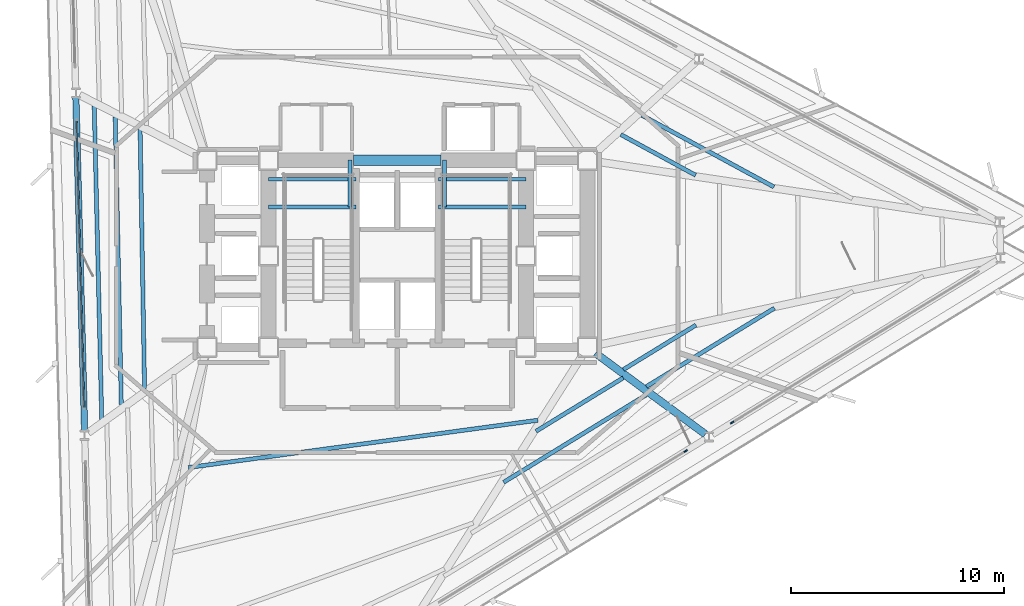
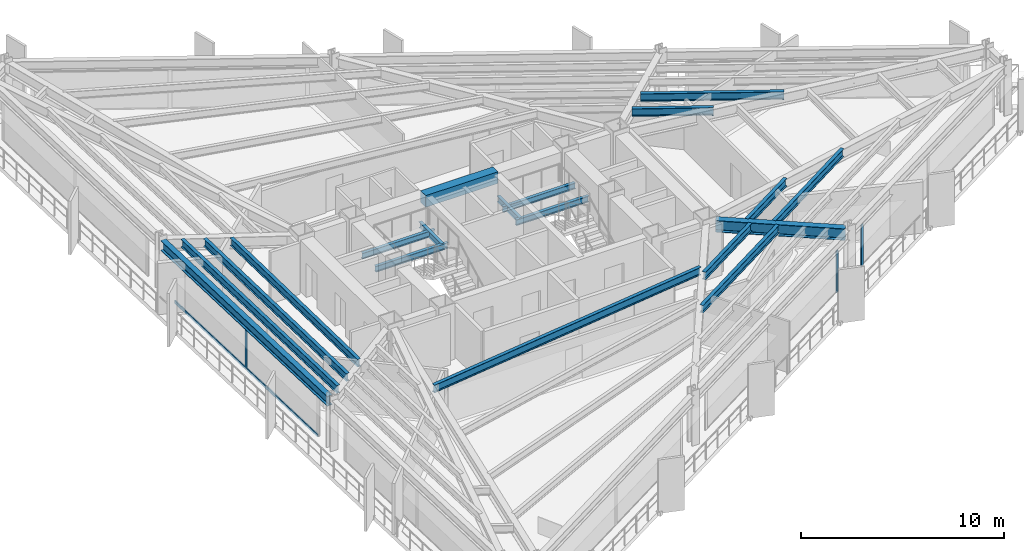
# One storey, part 3 of 14: 19 beams, 7 members, 3 elements without a shape of their own.
"""IFC4 building model written with IfcOpenShell, lengths in metres."""

import ifcopenshell
import ifcopenshell.guid

model = None  # the IFC model being written
_history = None  # IfcOwnerHistory: only IFC2X3 demands one
_inside = {}  # id of a spatial element -> (the spatial element, [elements in it])
_under = {}  # id of a project, library or spatial element -> (it, [spatial elements below it])
_declared = {}  # id of a project -> (the project, [libraries it declares])
_typed = {}  # id of a type object -> (the type object, [elements of that type])
_made_of = {}  # id of a material, layer set ... -> (it, [elements and type objects made of it])


def new_model(schema):
    """Start an empty IFC model of exactly this schema.

    Asked for "IFC4X3", IfcOpenShell would pick the latest addendum, in which some entities
    have other attributes; the version numbers below select the first issue.
    IFC2X3 requires an IfcOwnerHistory on every rooted entity: one is made here for all.
    """
    global model, _history
    if schema == "IFC4X3":
        model = ifcopenshell.file(schema_version=(4, 3, 0, 0))
    else:
        model = ifcopenshell.file(schema=schema)
    _inside.clear()
    _under.clear()
    _declared.clear()
    _typed.clear()
    _made_of.clear()
    _history = None
    if model.schema == "IFC2X3":
        org = make("IfcOrganization", Name="unknown")
        user = make(
            "IfcPersonAndOrganization",
            ThePerson=make("IfcPerson", FamilyName="unknown"),
            TheOrganization=org,
        )
        app = make(
            "IfcApplication",
            ApplicationDeveloper=org,
            Version="unknown",
            ApplicationFullName="unknown",
            ApplicationIdentifier="unknown",
        )
        _history = make(
            "IfcOwnerHistory",
            OwningUser=user,
            OwningApplication=app,
            ChangeAction="ADDED",
            CreationDate=0,
        )
    return model


def make(cls, **values):
    """One entity of the class cls with the attributes given. An attribute that is None is left unset."""
    return model.create_entity(
        cls, **{name: value for name, value in values.items() if value is not None}
    )


def rooted(cls, **values):
    """An entity with a GlobalId (a new one), such as an element, a storey or a relation."""
    return make(cls, GlobalId=ifcopenshell.guid.new(), OwnerHistory=_history, **values)


def si_unit(unit_type, name, prefix=None):
    """IfcSIUnit, for example si_unit("LENGTHUNIT", "METRE", prefix="MILLI")."""
    return make("IfcSIUnit", UnitType=unit_type, Prefix=prefix, Name=name)


def assignment(units):
    """IfcUnitAssignment: the units of a project."""
    return None if units is None else make("IfcUnitAssignment", Units=units)


def point(xyz):
    """IfcCartesianPoint."""
    return None if xyz is None else make("IfcCartesianPoint", Coordinates=xyz)


def direction(xyz):
    """IfcDirection."""
    return None if xyz is None else make("IfcDirection", DirectionRatios=xyz)


def frame(location, z_axis=None, x_axis=None):
    """IfcAxis2Placement3D, a coordinate frame: its origin and axes. An axis left out is left unset."""
    return make(
        "IfcAxis2Placement3D",
        Location=point(location),
        Axis=direction(z_axis),
        RefDirection=direction(x_axis),
    )


def frame_2d(location, x_axis=None):
    """IfcAxis2Placement2D, a coordinate frame in the plane: its origin and x axis."""
    return make(
        "IfcAxis2Placement2D", Location=point(location), RefDirection=direction(x_axis)
    )


def origin():
    """The frame at (0, 0, 0) with its axes left unset."""
    return frame((0.0, 0.0, 0.0))


def origin_2d():
    """The frame at (0, 0) in the plane with its x axis left unset."""
    return frame_2d((0.0, 0.0))


def place(relative_to, where):
    """IfcLocalPlacement: puts the frame where relative to a parent placement (None: the world)."""
    return make(
        "IfcLocalPlacement", PlacementRelTo=relative_to, RelativePlacement=where
    )


def context(
    kind, dimensions, precision=None, world=None, true_north=None, identifier=None
):
    """IfcGeometricRepresentationContext, for example the 3D "Model" context."""
    return make(
        "IfcGeometricRepresentationContext",
        ContextIdentifier=identifier,
        ContextType=kind,
        CoordinateSpaceDimension=dimensions,
        Precision=precision,
        WorldCoordinateSystem=world,
        TrueNorth=true_north,
    )


def subcontext(parent, identifier, kind, view, scale=None):
    """IfcGeometricRepresentationSubContext, for example "Body" below "Model"."""
    return make(
        "IfcGeometricRepresentationSubContext",
        ContextIdentifier=identifier,
        ContextType=kind,
        ParentContext=parent,
        TargetScale=scale,
        TargetView=view,
    )


def project(units=None, contexts=None):
    """IfcProject with its units and contexts."""
    return rooted(
        "IfcProject",
        Name="project",
        RepresentationContexts=contexts,
        UnitsInContext=assignment(units),
    )


def spatial(cls, under=None, at=None, **own):
    """A site, building, storey or space (cls), placed at a placement, below another one or the project."""
    s = rooted(cls, ObjectPlacement=at, **own)
    if under is not None:
        _under.setdefault(under.id(), (under, []))[1].append(s)
    return s


def profile(cls, at=None, kind="AREA", **sizes):
    """A parametric profile (cls). Its sizes go by their IFC names, for example OverallWidth=200.0."""
    return make(cls, ProfileType=kind, Position=at, **sizes)


def rectangle(**sizes):
    """IfcRectangleProfileDef."""
    return profile("IfcRectangleProfileDef", **sizes)


def i_section(**sizes):
    """IfcIShapeProfileDef."""
    return profile("IfcIShapeProfileDef", **sizes)


def extrude(swept, where, along, depth):
    """IfcExtrudedAreaSolid: the profile swept, set in the frame where, extruded along a direction by depth."""
    return make(
        "IfcExtrudedAreaSolid",
        SweptArea=swept,
        Position=where,
        ExtrudedDirection=direction(along),
        Depth=depth,
    )


def shape(context_of_items, identifier, shape_type, items):
    """IfcShapeRepresentation: the items that make up one representation, for example the "Body"."""
    return make(
        "IfcShapeRepresentation",
        ContextOfItems=context_of_items,
        RepresentationIdentifier=identifier,
        RepresentationType=shape_type,
        Items=items,
    )


def material(Name=None, Category=None):
    """IfcMaterial."""
    return make("IfcMaterial", Name=Name, Category=Category)


def layer(
    of_material, thickness, ventilated=None, Name=None, Category=None, Priority=None
):
    """IfcMaterialLayer: one layer of a wall or slab, of a material (None: an air gap)."""
    return make(
        "IfcMaterialLayer",
        Material=of_material,
        LayerThickness=thickness,
        IsVentilated=ventilated,
        Name=Name,
        Category=Category,
        Priority=Priority,
    )


def layer_set(layers, Name=None):
    """IfcMaterialLayerSet."""
    return make("IfcMaterialLayerSet", MaterialLayers=layers, LayerSetName=Name)


def material_profile(
    of_material, cross_section, Name=None, Category=None, Priority=None
):
    """IfcMaterialProfile: a cross section and its material."""
    return make(
        "IfcMaterialProfile",
        Name=Name,
        Material=of_material,
        Profile=cross_section,
        Priority=Priority,
        Category=Category,
    )


def profile_set(profiles, Name=None, composite=None):
    """IfcMaterialProfileSet."""
    return make(
        "IfcMaterialProfileSet",
        Name=Name,
        MaterialProfiles=profiles,
        CompositeProfile=composite,
    )


def made_of(thing, what):
    """Note that an element or type object is made of a material, layer set ...; save() writes the relation."""
    if what is not None:
        _made_of.setdefault(what.id(), (what, []))[1].append(thing)
    return thing


def type_object(cls, material=None, **own):
    """A type object (cls), such as IfcWallType, which elements share."""
    return made_of(rooted(cls, **own), material)


def element(
    cls,
    number,
    at=None,
    inside=None,
    cuts=None,
    type_object=None,
    material=None,
    context=None,
    identifier="Body",
    shape_type=None,
    held_by="IfcProductDefinitionShape",
    body=None,
    shapes=None,
    **own,
):
    """One element of the class cls, such as IfcWall. Its Tag is "e" and its number.

    at: its placement. inside: the storey or other place that contains it. cuts: it is an
    opening in that element (IfcRelVoidsElement). A single representation is given by context,
    identifier, shape_type and body (its items); several are given by shapes. held_by: the class
    of the entity that holds the representations. save() writes the other relations.
    """
    e = rooted(cls, Tag="e%d" % number, ObjectPlacement=at, **own)
    if body is not None:
        shapes = [shape(context, identifier, shape_type, body)]
    if shapes is not None:
        e.Representation = make(held_by, Representations=shapes)
    if inside is not None:
        _inside.setdefault(inside.id(), (inside, []))[1].append(e)
    if cuts is not None:
        rooted(
            "IfcRelVoidsElement", RelatingBuildingElement=cuts, RelatedOpeningElement=e
        )
    if type_object is not None:
        _typed.setdefault(type_object.id(), (type_object, []))[1].append(e)
    return made_of(e, material)


def aggregate(whole, parts):
    """IfcRelAggregates: a whole, such as a stair, and the parts it consists of."""
    return rooted("IfcRelAggregates", RelatingObject=whole, RelatedObjects=parts)


def save(model, path):
    """Write the relations noted so far, then the file.

    IfcRelAggregates (storeys below a building ...), IfcRelContainedInSpatialStructure (elements
    in a storey), IfcRelDefinesByType, IfcRelAssociatesMaterial and IfcRelDeclares: one each for
    every whole, place, type object, material and project.
    """
    for whole, parts in _under.values():
        aggregate(whole, parts)
    for where, things in _inside.values():
        rooted(
            "IfcRelContainedInSpatialStructure",
            RelatedElements=things,
            RelatingStructure=where,
        )
    for kind, things in _typed.values():
        rooted("IfcRelDefinesByType", RelatedObjects=things, RelatingType=kind)
    for what, things in _made_of.values():
        rooted("IfcRelAssociatesMaterial", RelatedObjects=things, RelatingMaterial=what)
    for by, libraries in _declared.values():
        rooted("IfcRelDeclares", RelatingContext=by, RelatedDefinitions=libraries)
    model.write(path)


model = new_model("IFC4")

# Units and contexts
model_context = context("Model", 3, precision=1e-05, world=origin(), true_north=direction((0.0, 1.0)))
body_context = subcontext(model_context, "Body", "Model", "MODEL_VIEW")
ifc_project = project(units=[si_unit("LENGTHUNIT", "METRE"), si_unit("AREAUNIT", "SQUARE_METRE"), si_unit("VOLUMEUNIT", "CUBIC_METRE"), si_unit("PLANEANGLEUNIT", "RADIAN"), si_unit("MASSUNIT", "GRAM", prefix="KILO")], contexts=[model_context])

# Site, building, storey
site_placement = place(None, origin())
site = spatial("IfcSite", under=ifc_project, at=site_placement, CompositionType="ELEMENT")
building_placement = place(site_placement, origin())
building = spatial("IfcBuilding", under=site, at=building_placement, Name="Rocaltana Carrier Exchange", CompositionType="ELEMENT")
storey_placement = place(building_placement, frame((0.0, 0.0, 39.0400390625)))
storey = spatial("IfcBuildingStorey", under=building, at=storey_placement, Name="L12", CompositionType="ELEMENT", Elevation=39.0400390625)

# Curtain wall, member
ifc_material_1 = material(Name="Aluminium 6063-T6", Category="aluminium")
ifc_layer = layer(ifc_material_1, 0.179931640625)
ifc_layer_set = layer_set([ifc_layer], Name="Aluminium 6063-T6")
curtain_wall_type = type_object("IfcCurtainWallType", Name="Sandstone Spandrel Unitised Curtain Wall CW-01", PredefinedType="NOTDEFINED", material=ifc_layer_set)
curtain_wall_1_placement = place(storey_placement, origin())
curtain_wall_1 = element("IfcCurtainWall", 1, at=curtain_wall_1_placement, inside=storey, type_object=curtain_wall_type, Name="L12 CW-01 Run CW-L12-F2S2", PredefinedType="NOTDEFINED")
ifc_material_2 = material(Name="Aluminium 6063-T6", Category="aluminium")
ifc_material_profile_1 = material_profile(ifc_material_2, rectangle(XDim=0.06494140625, YDim=0.179931640625, at=origin_2d()), Name="AL-65X180")
ifc_profile_set_1 = profile_set([ifc_material_profile_1], Name="Aluminium 6063-T6")
member_type_1 = type_object("IfcMemberType", Name="CW-01 Mullion AL-65X180", PredefinedType="MULLION", material=ifc_profile_set_1)
member_1_placement = place(storey_placement, frame((-14.91064453125, -0.390380859375, 0.0), z_axis=(0.0, 0.0, 1.0), x_axis=(0.99965733548, 0.026176547142, 0.0)))
member_1 = element("IfcMember", 2, at=member_1_placement, type_object=member_type_1, Name="CW-01 mullion 2", PredefinedType="MULLION", context=body_context, shape_type="SweptSolid", body=[
    extrude(rectangle(XDim=0.06494140625, YDim=0.179931640625, at=origin_2d()), origin(), (0.0, 0.0, 1.0), 2.47802734375),
])

curtain_wall_2_placement = place(storey_placement, origin())
curtain_wall_2 = element("IfcCurtainWall", 3, at=curtain_wall_2_placement, inside=storey, type_object=curtain_wall_type, Name="L12 CW-01 Run CW-L12-F3S2", PredefinedType="NOTDEFINED")
member_2_placement = place(storey_placement, frame((13.563720703125, -9.181884765625, 0.0), z_axis=(0.0, 0.0, 1.0), x_axis=(-0.522499812415, 0.852639399762, 0.0)))
member_2 = element("IfcMember", 4, at=member_2_placement, type_object=member_type_1, Name="CW-01 mullion 3", PredefinedType="MULLION", context=body_context, shape_type="SweptSolid", body=[
    extrude(rectangle(XDim=0.06494140625, YDim=0.179931640625, at=origin_2d()), origin(), (0.0, 0.0, 1.0), 2.47802734375),
])
aggregate(curtain_wall_2, [member_2])

curtain_wall_3_placement = place(storey_placement, origin())
curtain_wall_3 = element("IfcCurtainWall", 5, at=curtain_wall_3_placement, inside=storey, type_object=curtain_wall_type, Name="L12 CW-01 Run CW-L12-F3S3", PredefinedType="NOTDEFINED")
member_3_placement = place(storey_placement, frame((15.750732421875, -7.841552734375, 0.0), z_axis=(0.0, 0.0, 1.0), x_axis=(-0.522499812415, 0.852639399762, 0.0)))
member_3 = element("IfcMember", 6, at=member_3_placement, type_object=member_type_1, Name="CW-01 mullion 1", PredefinedType="MULLION", context=body_context, shape_type="SweptSolid", body=[
    extrude(rectangle(XDim=0.06494140625, YDim=0.179931640625, at=origin_2d()), origin(), (0.0, 0.0, 1.0), 2.47802734375),
])
aggregate(curtain_wall_3, [member_3])

# Member
ifc_material_3 = material(Name="Aluminium 6063-T6", Category="aluminium")
ifc_material_profile_2 = material_profile(ifc_material_3, rectangle(XDim=0.06494140625, YDim=0.179931640625, at=origin_2d()), Name="AL-65X180")
ifc_profile_set_2 = profile_set([ifc_material_profile_2], Name="Aluminium 6063-T6")
member_type_2 = type_object("IfcMemberType", Name="CW-01 Transom AL-65X180", PredefinedType="USERDEFINED", material=ifc_profile_set_2)
member_4_placement = place(storey_placement, frame((-15.0869140625, 6.34228515625, 0.032470703125), z_axis=(0.026153417925, -0.999657940863, 0.0), x_axis=(0.999657940863, 0.026153417925, 0.0)))
member_4 = element("IfcMember", 7, at=member_4_placement, type_object=member_type_2, Name="CW-01 transom 1.1", ObjectType="TRANSOM", PredefinedType="USERDEFINED", context=body_context, shape_type="SweptSolid", body=[
    extrude(rectangle(XDim=0.06494140625, YDim=0.179931640625, at=origin_2d()), origin(), (0.0, 0.0, 1.0), 6.702392578125),
])

member_5_placement = place(storey_placement, frame((-15.0869140625, 6.34228515625, 2.445556640625), z_axis=(0.026153417925, -0.999657940863, 0.0), x_axis=(0.999657940863, 0.026153417925, 0.0)))
member_5 = element("IfcMember", 8, at=member_5_placement, type_object=member_type_2, Name="CW-01 transom 1.2", ObjectType="TRANSOM", PredefinedType="USERDEFINED", context=body_context, shape_type="SweptSolid", body=[
    extrude(rectangle(XDim=0.06494140625, YDim=0.179931640625, at=origin_2d()), origin(), (0.0, 0.0, 1.0), 6.702392578125),
])

member_6_placement = place(storey_placement, frame((-14.909912109375, -0.4228515625, 0.032470703125), z_axis=(0.026189818331, -0.999656987879, 0.0), x_axis=(0.999656987879, 0.026189818331, 0.0)))
member_6 = element("IfcMember", 9, at=member_6_placement, type_object=member_type_2, Name="CW-01 transom 2.1", ObjectType="TRANSOM", PredefinedType="USERDEFINED", context=body_context, shape_type="SweptSolid", body=[
    extrude(rectangle(XDim=0.06494140625, YDim=0.179931640625, at=origin_2d()), origin(), (0.0, 0.0, 1.0), 6.702392578125),
])

member_7_placement = place(storey_placement, frame((-14.909912109375, -0.4228515625, 2.445556640625), z_axis=(0.026189818331, -0.999656987879, 0.0), x_axis=(0.999656987879, 0.026189818331, 0.0)))
member_7 = element("IfcMember", 10, at=member_7_placement, type_object=member_type_2, Name="CW-01 transom 2.2", ObjectType="TRANSOM", PredefinedType="USERDEFINED", context=body_context, shape_type="SweptSolid", body=[
    extrude(rectangle(XDim=0.06494140625, YDim=0.179931640625, at=origin_2d()), origin(), (0.0, 0.0, 1.0), 6.702392578125),
])

aggregate(curtain_wall_1, [member_1, member_4, member_5, member_6, member_7])

# Beams
ifc_material_4 = material(Name="Concrete C60/75", Category="concrete")
ifc_material_profile_3 = material_profile(ifc_material_4, rectangle(XDim=0.5, YDim=0.699951171875, at=origin_2d()), Name="RC-BM-500X700")
ifc_profile_set_3 = profile_set([ifc_material_profile_3], Name="Concrete C60/75")
beam_type_1 = type_object("IfcBeamType", Name="Core Coupling Lintel 500x700", PredefinedType="LINTEL", material=ifc_profile_set_3)
beam_1_placement = place(storey_placement, frame((-2.050048828125, 4.5, 2.748046875), z_axis=(1.0, 0.0, 0.0), x_axis=(0.0, 1.0, 0.0)))
element("IfcBeam", 11, at=beam_1_placement, inside=storey, type_object=beam_type_1, Name="L12 Core Coupling Lintel CL-N", PredefinedType="LINTEL", context=body_context, shape_type="SweptSolid", body=[
    extrude(rectangle(XDim=0.5, YDim=0.699951171875, at=origin_2d()), origin(), (0.0, 0.0, 1.0), 4.10009765625),
])
ifc_material_5 = material(Name="Steel S355", Category="steel")
ifc_material_profile_4 = material_profile(ifc_material_5, i_section(OverallWidth=0.172119140625, OverallDepth=0.35791015625, WebThickness=0.0078125, FlangeThickness=0.01318359375, FilletRadius=0.011962890625, at=origin_2d()), Name="W14X38")
ifc_profile_set_4 = profile_set([ifc_material_profile_4], Name="Steel S355")
beam_type_2 = type_object("IfcBeamType", Name="Floor Joist W14X38", PredefinedType="JOIST", material=ifc_profile_set_4)
for number, where, z_axis, x_axis, name in (
    (12, (-6.050048828125, 2.300048828125, 1.301025390625), (1.0, 0.0, 0.0), (0.0, 1.0, 0.0), "L12 ST-1 Landing Carrier 1"),
    (13, (1.93994140625, 2.300048828125, 1.301025390625), (1.0, 0.0, 0.0), (0.0, 1.0, 0.0), "L12 ST-2 Landing Carrier 1"),
    (14, (-6.050048828125, 3.60009765625, 1.301025390625), (1.0, 0.0, 0.0), (0.0, 1.0, 0.0), "L12 ST-1 Landing Carrier 2"),
    (15, (1.93994140625, 3.60009765625, 1.301025390625), (1.0, 0.0, 0.0), (0.0, 1.0, 0.0), "L12 ST-2 Landing Carrier 2"),
):
    element("IfcBeam", number, at=place(storey_placement, frame(where, z_axis=z_axis, x_axis=x_axis)), inside=storey, type_object=beam_type_2, Name=name, PredefinedType="JOIST", context=body_context, shape_type="SweptSolid", body=[
        extrude(i_section(OverallWidth=0.172119140625, OverallDepth=0.35791015625, WebThickness=0.0078125, FlangeThickness=0.01318359375, FilletRadius=0.011962890625, at=origin_2d()), origin(), (0.0, 0.0, 1.0), 4.110107421875),
    ])
for number, where, z_axis, x_axis, name in (
    (16, (-2.219970703125, 2.300048828125, 1.301025390625), (0.0, 1.0, 0.0), (-1.0, 0.0, 0.0), "L12 ST-1 Landing Cross Trimmer"),
    (17, (2.219970703125, 2.300048828125, 1.301025390625), (0.0, 1.0, 0.0), (-1.0, 0.0, 0.0), "L12 ST-2 Landing Cross Trimmer"),
):
    element("IfcBeam", number, at=place(storey_placement, frame(where, z_axis=z_axis, x_axis=x_axis)), inside=storey, type_object=beam_type_2, Name=name, PredefinedType="JOIST", context=body_context, shape_type="SweptSolid", body=[
        extrude(i_section(OverallWidth=0.172119140625, OverallDepth=0.35791015625, WebThickness=0.0078125, FlangeThickness=0.01318359375, FilletRadius=0.011962890625, at=origin_2d()), origin(), (0.0, 0.0, 1.0), 2.199951171875),
    ])
ifc_material_6 = material(Name="Steel S355", Category="steel")
ifc_material_profile_5 = material_profile(ifc_material_6, i_section(OverallWidth=0.193115234375, OverallDepth=0.466064453125, WebThickness=0.011474609375, FlangeThickness=0.01904296875, FilletRadius=0.013916015625, at=origin_2d()), Name="W18X65")
ifc_profile_set_5 = profile_set([ifc_material_profile_5], Name="Steel S355")
beam_type_3 = type_object("IfcBeamType", Name="Floor Joist W18X65", PredefinedType="JOIST", material=ifc_profile_set_5)
beam_2_placement = place(storey_placement, frame((14.03466796875, 3.794921875, 2.864990234375), z_axis=(-0.878819095461, 0.477155108381, 0.0), x_axis=(-0.477155108381, -0.878819095461, 0.0)))
element("IfcBeam", 18, at=beam_2_placement, inside=storey, type_object=beam_type_3, Name="FJ-L12-01-1", PredefinedType="JOIST", context=body_context, shape_type="SweptSolid", body=[
    extrude(i_section(OverallWidth=0.193115234375, OverallDepth=0.466064453125, WebThickness=0.011474609375, FlangeThickness=0.01904296875, FilletRadius=0.013916015625, at=origin_2d()), origin(), (0.0, 0.0, 1.0), 4.003662109375),
])
beam_3_placement = place(storey_placement, frame((17.718994140625, 3.240966796875, 2.864990234375), z_axis=(-0.878818644884, 0.477155938247, 0.0), x_axis=(-0.477155938247, -0.878818644884, 0.0)))
element("IfcBeam", 19, at=beam_3_placement, inside=storey, type_object=beam_type_3, Name="FJ-L12-01-2", PredefinedType="JOIST", context=body_context, shape_type="SweptSolid", body=[
    extrude(i_section(OverallWidth=0.193115234375, OverallDepth=0.466064453125, WebThickness=0.011474609375, FlangeThickness=0.01904296875, FilletRadius=0.013916015625, at=origin_2d()), origin(), (0.0, 0.0, 1.0), 7.06298828125),
])
beam_4_placement = place(storey_placement, frame((-12.094482421875, 5.9384765625, 2.864990234375), z_axis=(0.01715934819, -0.999852767546, 0.0), x_axis=(0.999852767546, 0.01715934819, 0.0)))
element("IfcBeam", 20, at=beam_4_placement, inside=storey, type_object=beam_type_3, Name="FJ-L12-06-2", PredefinedType="JOIST", context=body_context, shape_type="SweptSolid", body=[
    extrude(i_section(OverallWidth=0.193115234375, OverallDepth=0.466064453125, WebThickness=0.011474609375, FlangeThickness=0.01904296875, FilletRadius=0.013916015625, at=origin_2d()), origin(), (0.0, 0.0, 1.0), 12.178955078125),
])
beam_5_placement = place(storey_placement, frame((-13.266357421875, 6.538330078125, 2.864990234375), z_axis=(0.021217434782, -0.999774884892, 0.0), x_axis=(0.999774884892, 0.021217434782, 0.0)))
element("IfcBeam", 21, at=beam_5_placement, inside=storey, type_object=beam_type_3, Name="FJ-L12-06-3", PredefinedType="JOIST", context=body_context, shape_type="SweptSolid", body=[
    extrude(i_section(OverallWidth=0.193115234375, OverallDepth=0.466064453125, WebThickness=0.011474609375, FlangeThickness=0.01904296875, FilletRadius=0.013916015625, at=origin_2d()), origin(), (0.0, 0.0, 1.0), 13.56640625),
])
beam_6_placement = place(storey_placement, frame((-14.25341796875, 7.04345703125, 2.864990234375), z_axis=(0.024041709719, -0.999710956324, 0.0), x_axis=(0.999710956324, 0.024041709719, 0.0)))
element("IfcBeam", 22, at=beam_6_placement, inside=storey, type_object=beam_type_3, Name="FJ-L12-06-4", PredefinedType="JOIST", context=body_context, shape_type="SweptSolid", body=[
    extrude(i_section(OverallWidth=0.193115234375, OverallDepth=0.466064453125, WebThickness=0.011474609375, FlangeThickness=0.01904296875, FilletRadius=0.013916015625, at=origin_2d()), origin(), (0.0, 0.0, 1.0), 14.734619140625),
])
beam_7_placement = place(storey_placement, frame((-9.819091796875, -9.956787109375, 2.864990234375), z_axis=(0.990955694238, 0.13418946329, 0.0), x_axis=(-0.13418946329, 0.990955694238, 0.0)))
element("IfcBeam", 23, at=beam_7_placement, inside=storey, type_object=beam_type_3, Name="FJ-L12-09-1", PredefinedType="JOIST", context=body_context, shape_type="SweptSolid", body=[
    extrude(i_section(OverallWidth=0.193115234375, OverallDepth=0.466064453125, WebThickness=0.011474609375, FlangeThickness=0.01904296875, FilletRadius=0.013916015625, at=origin_2d()), origin(), (0.0, 0.0, 1.0), 16.58349609375),
])
beam_8_placement = place(storey_placement, frame((6.52978515625, -8.25, 2.864990234375), z_axis=(0.852639920922, 0.522498961961, 0.0), x_axis=(-0.522498961961, 0.852639920922, 0.0)))
element("IfcBeam", 24, at=beam_8_placement, inside=storey, type_object=beam_type_3, Name="FJ-L12-10-1", PredefinedType="JOIST", context=body_context, shape_type="SweptSolid", body=[
    extrude(i_section(OverallWidth=0.193115234375, OverallDepth=0.466064453125, WebThickness=0.011474609375, FlangeThickness=0.01904296875, FilletRadius=0.013916015625, at=origin_2d()), origin(), (0.0, 0.0, 1.0), 4.80908203125),
])
beam_9_placement = place(storey_placement, frame((5.005859375, -10.648681640625, 2.864990234375), z_axis=(0.852633806111, 0.522508940283, 0.0), x_axis=(-0.522508940283, 0.852633806111, 0.0)))
element("IfcBeam", 25, at=beam_9_placement, inside=storey, type_object=beam_type_3, Name="FJ-L12-10-2", PredefinedType="JOIST", context=body_context, shape_type="SweptSolid", body=[
    extrude(i_section(OverallWidth=0.193115234375, OverallDepth=0.466064453125, WebThickness=0.011474609375, FlangeThickness=0.01904296875, FilletRadius=0.013916015625, at=origin_2d()), origin(), (0.0, 0.0, 1.0), 7.867919921875),
])
beam_10_placement = place(storey_placement, frame((10.63720703125, -5.34765625, 2.864990234375), z_axis=(0.852634552526, 0.522507722277, 0.0), x_axis=(-0.522507722277, 0.852634552526, 0.0)))
element("IfcBeam", 26, at=beam_10_placement, inside=storey, type_object=beam_type_3, Name="FJ-L12-11-1", PredefinedType="JOIST", context=body_context, shape_type="SweptSolid", body=[
    extrude(i_section(OverallWidth=0.193115234375, OverallDepth=0.466064453125, WebThickness=0.011474609375, FlangeThickness=0.01904296875, FilletRadius=0.013916015625, at=origin_2d()), origin(), (0.0, 0.0, 1.0), 4.00390625),
])
beam_11_placement = place(storey_placement, frame((11.721435546875, -6.147705078125, 2.864990234375), z_axis=(0.85265490201, 0.522474514286, 0.0), x_axis=(-0.522474514286, 0.85265490201, 0.0)))
element("IfcBeam", 27, at=beam_11_placement, inside=storey, type_object=beam_type_3, Name="FJ-L12-11-2", PredefinedType="JOIST", context=body_context, shape_type="SweptSolid", body=[
    extrude(i_section(OverallWidth=0.193115234375, OverallDepth=0.466064453125, WebThickness=0.011474609375, FlangeThickness=0.01904296875, FilletRadius=0.013916015625, at=origin_2d()), origin(), (0.0, 0.0, 1.0), 7.06298828125),
])
ifc_material_7 = material(Name="Steel S355", Category="steel")
ifc_material_profile_6 = material_profile(ifc_material_7, i_section(OverallWidth=0.35498046875, OverallDepth=0.695068359375, WebThickness=0.015380859375, FlangeThickness=0.02490234375, FilletRadius=0.01806640625, at=origin_2d()), Name="W27X146")
ifc_profile_set_6 = profile_set([ifc_material_profile_6], Name="Steel S355")
beam_type_4 = type_object("IfcBeamType", Name="Radial Girder W27X146", PredefinedType="BEAM", material=ifc_profile_set_6)
beam_12_placement = place(storey_placement, frame((9.32568359375, -4.577392578125, 2.75048828125), z_axis=(0.804638080619, -0.59376557598, 0.0), x_axis=(0.59376557598, 0.804638080619, 0.0)))
element("IfcBeam", 28, at=beam_12_placement, inside=storey, type_object=beam_type_4, Name="RG-L12-11", PredefinedType="BEAM", context=body_context, shape_type="SweptSolid", body=[
    extrude(i_section(OverallWidth=0.35498046875, OverallDepth=0.695068359375, WebThickness=0.015380859375, FlangeThickness=0.02490234375, FilletRadius=0.01806640625, at=origin_2d()), origin(), (0.0, 0.0, 1.0), 6.422119140625),
])
ifc_material_8 = material(Name="Steel S355", Category="steel")
ifc_material_profile_7 = material_profile(ifc_material_8, i_section(OverallWidth=0.300048828125, OverallDepth=0.60009765625, WebThickness=0.015380859375, FlangeThickness=0.030029296875, FilletRadius=0.027099609375, at=origin_2d()), Name="HEB600")
ifc_profile_set_7 = profile_set([ifc_material_profile_7], Name="Steel S355")
beam_type_5 = type_object("IfcBeamType", Name="Spandrel Edge Beam HEB600", PredefinedType="SPANDREL", material=ifc_profile_set_7)
beam_13_placement = place(storey_placement, frame((-15.1162109375, 7.452880859375, 2.7978515625), z_axis=(0.026184348618, -0.999657131164, 0.0), x_axis=(0.999657131164, 0.026184348618, 0.0)))
element("IfcBeam", 29, at=beam_13_placement, inside=storey, type_object=beam_type_5, Name="SP-L12-06", PredefinedType="SPANDREL", context=body_context, shape_type="SweptSolid", body=[
    extrude(i_section(OverallWidth=0.300048828125, OverallDepth=0.60009765625, WebThickness=0.015380859375, FlangeThickness=0.030029296875, FilletRadius=0.027099609375, at=origin_2d()), origin(), (0.0, 0.0, 1.0), 15.692138671875),
])

save(model, "model.ifc")
